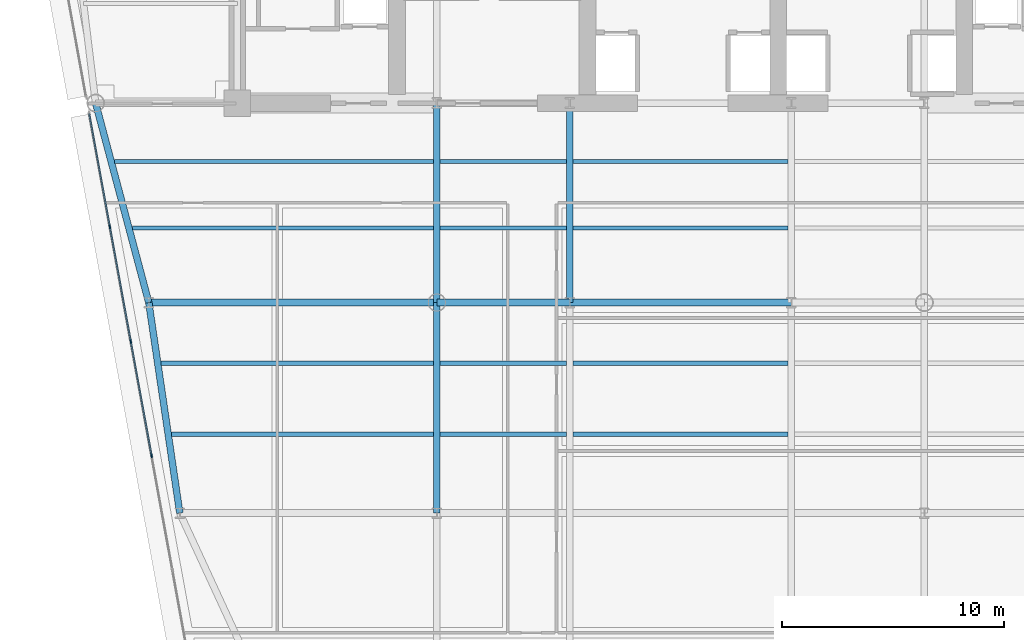
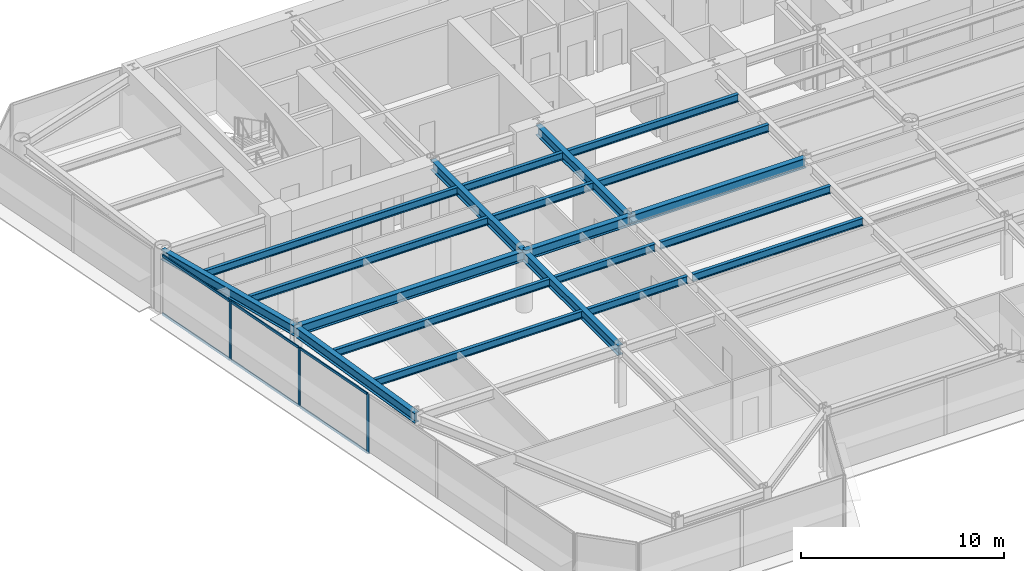
# One storey, part 4 of 17: 20 beams, 9 members, 1 element without a shape of its own.
"""IFC4 building model written with IfcOpenShell, lengths in metres."""

import ifcopenshell
import ifcopenshell.guid

model = None  # the IFC model being written
_history = None  # IfcOwnerHistory: only IFC2X3 demands one
_inside = {}  # id of a spatial element -> (the spatial element, [elements in it])
_under = {}  # id of a project, library or spatial element -> (it, [spatial elements below it])
_declared = {}  # id of a project -> (the project, [libraries it declares])
_typed = {}  # id of a type object -> (the type object, [elements of that type])
_made_of = {}  # id of a material, layer set ... -> (it, [elements and type objects made of it])


def new_model(schema):
    """Start an empty IFC model of exactly this schema.

    Asked for "IFC4X3", IfcOpenShell would pick the latest addendum, in which some entities
    have other attributes; the version numbers below select the first issue.
    IFC2X3 requires an IfcOwnerHistory on every rooted entity: one is made here for all.
    """
    global model, _history
    if schema == "IFC4X3":
        model = ifcopenshell.file(schema_version=(4, 3, 0, 0))
    else:
        model = ifcopenshell.file(schema=schema)
    _inside.clear()
    _under.clear()
    _declared.clear()
    _typed.clear()
    _made_of.clear()
    _history = None
    if model.schema == "IFC2X3":
        org = make("IfcOrganization", Name="unknown")
        user = make(
            "IfcPersonAndOrganization",
            ThePerson=make("IfcPerson", FamilyName="unknown"),
            TheOrganization=org,
        )
        app = make(
            "IfcApplication",
            ApplicationDeveloper=org,
            Version="unknown",
            ApplicationFullName="unknown",
            ApplicationIdentifier="unknown",
        )
        _history = make(
            "IfcOwnerHistory",
            OwningUser=user,
            OwningApplication=app,
            ChangeAction="ADDED",
            CreationDate=0,
        )
    return model


def make(cls, **values):
    """One entity of the class cls with the attributes given. An attribute that is None is left unset."""
    return model.create_entity(
        cls, **{name: value for name, value in values.items() if value is not None}
    )


def rooted(cls, **values):
    """An entity with a GlobalId (a new one), such as an element, a storey or a relation."""
    return make(cls, GlobalId=ifcopenshell.guid.new(), OwnerHistory=_history, **values)


def si_unit(unit_type, name, prefix=None):
    """IfcSIUnit, for example si_unit("LENGTHUNIT", "METRE", prefix="MILLI")."""
    return make("IfcSIUnit", UnitType=unit_type, Prefix=prefix, Name=name)


def assignment(units):
    """IfcUnitAssignment: the units of a project."""
    return None if units is None else make("IfcUnitAssignment", Units=units)


def point(xyz):
    """IfcCartesianPoint."""
    return None if xyz is None else make("IfcCartesianPoint", Coordinates=xyz)


def direction(xyz):
    """IfcDirection."""
    return None if xyz is None else make("IfcDirection", DirectionRatios=xyz)


def frame(location, z_axis=None, x_axis=None):
    """IfcAxis2Placement3D, a coordinate frame: its origin and axes. An axis left out is left unset."""
    return make(
        "IfcAxis2Placement3D",
        Location=point(location),
        Axis=direction(z_axis),
        RefDirection=direction(x_axis),
    )


def frame_2d(location, x_axis=None):
    """IfcAxis2Placement2D, a coordinate frame in the plane: its origin and x axis."""
    return make(
        "IfcAxis2Placement2D", Location=point(location), RefDirection=direction(x_axis)
    )


def origin():
    """The frame at (0, 0, 0) with its axes left unset."""
    return frame((0.0, 0.0, 0.0))


def origin_2d():
    """The frame at (0, 0) in the plane with its x axis left unset."""
    return frame_2d((0.0, 0.0))


def place(relative_to, where):
    """IfcLocalPlacement: puts the frame where relative to a parent placement (None: the world)."""
    return make(
        "IfcLocalPlacement", PlacementRelTo=relative_to, RelativePlacement=where
    )


def context(
    kind, dimensions, precision=None, world=None, true_north=None, identifier=None
):
    """IfcGeometricRepresentationContext, for example the 3D "Model" context."""
    return make(
        "IfcGeometricRepresentationContext",
        ContextIdentifier=identifier,
        ContextType=kind,
        CoordinateSpaceDimension=dimensions,
        Precision=precision,
        WorldCoordinateSystem=world,
        TrueNorth=true_north,
    )


def subcontext(parent, identifier, kind, view, scale=None):
    """IfcGeometricRepresentationSubContext, for example "Body" below "Model"."""
    return make(
        "IfcGeometricRepresentationSubContext",
        ContextIdentifier=identifier,
        ContextType=kind,
        ParentContext=parent,
        TargetScale=scale,
        TargetView=view,
    )


def project(units=None, contexts=None):
    """IfcProject with its units and contexts."""
    return rooted(
        "IfcProject",
        Name="project",
        RepresentationContexts=contexts,
        UnitsInContext=assignment(units),
    )


def spatial(cls, under=None, at=None, **own):
    """A site, building, storey or space (cls), placed at a placement, below another one or the project."""
    s = rooted(cls, ObjectPlacement=at, **own)
    if under is not None:
        _under.setdefault(under.id(), (under, []))[1].append(s)
    return s


def profile(cls, at=None, kind="AREA", **sizes):
    """A parametric profile (cls). Its sizes go by their IFC names, for example OverallWidth=200.0."""
    return make(cls, ProfileType=kind, Position=at, **sizes)


def rectangle(**sizes):
    """IfcRectangleProfileDef."""
    return profile("IfcRectangleProfileDef", **sizes)


def i_section(**sizes):
    """IfcIShapeProfileDef."""
    return profile("IfcIShapeProfileDef", **sizes)


def extrude(swept, where, along, depth):
    """IfcExtrudedAreaSolid: the profile swept, set in the frame where, extruded along a direction by depth."""
    return make(
        "IfcExtrudedAreaSolid",
        SweptArea=swept,
        Position=where,
        ExtrudedDirection=direction(along),
        Depth=depth,
    )


def shape(context_of_items, identifier, shape_type, items):
    """IfcShapeRepresentation: the items that make up one representation, for example the "Body"."""
    return make(
        "IfcShapeRepresentation",
        ContextOfItems=context_of_items,
        RepresentationIdentifier=identifier,
        RepresentationType=shape_type,
        Items=items,
    )


def source(mapping_origin, context_of_items, identifier, shape_type, items):
    """IfcRepresentationMap: a shape defined once, which mapped items show again and again."""
    return make(
        "IfcRepresentationMap",
        MappingOrigin=mapping_origin,
        MappedRepresentation=shape(context_of_items, identifier, shape_type, items),
    )


def transform(
    local_origin,
    x_axis=None,
    y_axis=None,
    z_axis=None,
    scale=None,
    scale2=None,
    scale3=None,
    uniform=True,
):
    """IfcCartesianTransformationOperator3D, or its non-uniform kind. x_axis, y_axis, z_axis: its Axis1, 2, 3."""
    if uniform:
        return make(
            "IfcCartesianTransformationOperator3D",
            Axis1=direction(x_axis),
            Axis2=direction(y_axis),
            LocalOrigin=point(local_origin),
            Scale=scale,
            Axis3=direction(z_axis),
        )
    return make(
        "IfcCartesianTransformationOperator3DnonUniform",
        Axis1=direction(x_axis),
        Axis2=direction(y_axis),
        LocalOrigin=point(local_origin),
        Scale=scale,
        Axis3=direction(z_axis),
        Scale2=scale2,
        Scale3=scale3,
    )


def mapped(mapping_source, mapping_target):
    """IfcMappedItem: shows the shape of a source again, moved by a transform."""
    return make(
        "IfcMappedItem", MappingSource=mapping_source, MappingTarget=mapping_target
    )


def material(Name=None, Category=None):
    """IfcMaterial."""
    return make("IfcMaterial", Name=Name, Category=Category)


def layer(
    of_material, thickness, ventilated=None, Name=None, Category=None, Priority=None
):
    """IfcMaterialLayer: one layer of a wall or slab, of a material (None: an air gap)."""
    return make(
        "IfcMaterialLayer",
        Material=of_material,
        LayerThickness=thickness,
        IsVentilated=ventilated,
        Name=Name,
        Category=Category,
        Priority=Priority,
    )


def layer_set(layers, Name=None):
    """IfcMaterialLayerSet."""
    return make("IfcMaterialLayerSet", MaterialLayers=layers, LayerSetName=Name)


def material_profile(
    of_material, cross_section, Name=None, Category=None, Priority=None
):
    """IfcMaterialProfile: a cross section and its material."""
    return make(
        "IfcMaterialProfile",
        Name=Name,
        Material=of_material,
        Profile=cross_section,
        Priority=Priority,
        Category=Category,
    )


def profile_set(profiles, Name=None, composite=None):
    """IfcMaterialProfileSet."""
    return make(
        "IfcMaterialProfileSet",
        Name=Name,
        MaterialProfiles=profiles,
        CompositeProfile=composite,
    )


def made_of(thing, what):
    """Note that an element or type object is made of a material, layer set ...; save() writes the relation."""
    if what is not None:
        _made_of.setdefault(what.id(), (what, []))[1].append(thing)
    return thing


def type_object(cls, material=None, **own):
    """A type object (cls), such as IfcWallType, which elements share."""
    return made_of(rooted(cls, **own), material)


def element(
    cls,
    number,
    at=None,
    inside=None,
    cuts=None,
    type_object=None,
    material=None,
    context=None,
    identifier="Body",
    shape_type=None,
    held_by="IfcProductDefinitionShape",
    body=None,
    shapes=None,
    **own,
):
    """One element of the class cls, such as IfcWall. Its Tag is "e" and its number.

    at: its placement. inside: the storey or other place that contains it. cuts: it is an
    opening in that element (IfcRelVoidsElement). A single representation is given by context,
    identifier, shape_type and body (its items); several are given by shapes. held_by: the class
    of the entity that holds the representations. save() writes the other relations.
    """
    e = rooted(cls, Tag="e%d" % number, ObjectPlacement=at, **own)
    if body is not None:
        shapes = [shape(context, identifier, shape_type, body)]
    if shapes is not None:
        e.Representation = make(held_by, Representations=shapes)
    if inside is not None:
        _inside.setdefault(inside.id(), (inside, []))[1].append(e)
    if cuts is not None:
        rooted(
            "IfcRelVoidsElement", RelatingBuildingElement=cuts, RelatedOpeningElement=e
        )
    if type_object is not None:
        _typed.setdefault(type_object.id(), (type_object, []))[1].append(e)
    return made_of(e, material)


def aggregate(whole, parts):
    """IfcRelAggregates: a whole, such as a stair, and the parts it consists of."""
    return rooted("IfcRelAggregates", RelatingObject=whole, RelatedObjects=parts)


def save(model, path):
    """Write the relations noted so far, then the file.

    IfcRelAggregates (storeys below a building ...), IfcRelContainedInSpatialStructure (elements
    in a storey), IfcRelDefinesByType, IfcRelAssociatesMaterial and IfcRelDeclares: one each for
    every whole, place, type object, material and project.
    """
    for whole, parts in _under.values():
        aggregate(whole, parts)
    for where, things in _inside.values():
        rooted(
            "IfcRelContainedInSpatialStructure",
            RelatedElements=things,
            RelatingStructure=where,
        )
    for kind, things in _typed.values():
        rooted("IfcRelDefinesByType", RelatedObjects=things, RelatingType=kind)
    for what, things in _made_of.values():
        rooted("IfcRelAssociatesMaterial", RelatedObjects=things, RelatingMaterial=what)
    for by, libraries in _declared.values():
        rooted("IfcRelDeclares", RelatingContext=by, RelatedDefinitions=libraries)
    model.write(path)


model = new_model("IFC4")

# Units and contexts
model_context = context("Model", 3, precision=1e-05, world=origin(), true_north=direction((0.0, 1.0)))
body_context = subcontext(model_context, "Body", "Model", "MODEL_VIEW")
ifc_project = project(units=[si_unit("LENGTHUNIT", "METRE"), si_unit("AREAUNIT", "SQUARE_METRE"), si_unit("VOLUMEUNIT", "CUBIC_METRE"), si_unit("PLANEANGLEUNIT", "RADIAN"), si_unit("MASSUNIT", "GRAM", prefix="KILO")], contexts=[model_context])

# Site, building, storey
site_placement = place(None, origin())
site = spatial("IfcSite", under=ifc_project, at=site_placement, CompositionType="ELEMENT")
building_placement = place(site_placement, origin())
building = spatial("IfcBuilding", under=site, at=building_placement, Name="Vaeldorn Concourse Tower", CompositionType="ELEMENT")
storey_placement = place(building_placement, frame((0.0, 0.0, 161.39990234375)))
storey = spatial("IfcBuildingStorey", under=building, at=storey_placement, Name="L41", CompositionType="ELEMENT", Elevation=161.39990234375)

# Beams
ifc_material_1 = material(Name="Steel S355", Category="steel")
ifc_material_profile_1 = material_profile(ifc_material_1, i_section(OverallWidth=0.18994140625, OverallDepth=0.449951171875, WebThickness=0.009521484375, FlangeThickness=0.0146484375, FilletRadius=0.02099609375, at=origin_2d()), Name="IPE 450")
ifc_profile_set_1 = profile_set([ifc_material_profile_1], Name="Steel S355")
beam_type_1 = type_object("IfcBeamType", Name="BM-JS-IPE450", PredefinedType="JOIST", material=ifc_profile_set_1)
shared_shape_1 = source(origin(), body_context, "Body", "SweptSolid", [
    extrude(i_section(OverallWidth=0.18994140625, OverallDepth=0.449951171875, WebThickness=0.009521484375, FlangeThickness=0.0146484375, FilletRadius=0.02099609375, at=origin_2d()), origin(), (0.0, 0.0, 1.0), 5.7001953125),
])
for number, where, z_axis, x_axis, name in (
    (1, (23.14990234375, 21.56005859375, 3.35498046875), (1.0, 0.0, 0.0), (0.0, 1.0, 0.0), "Beam JS-L41-W2-215"),
    (2, (23.14990234375, 24.760009765625, 3.35498046875), (1.0, 0.0, 0.0), (0.0, 1.0, 0.0), "Beam JS-L41-W2-247"),
    (3, (23.14990234375, 30.860107421875, 3.35498046875), (1.0, 0.0, 0.0), (0.0, 1.0, 0.0), "Beam JS-L41-W2-308"),
    (4, (23.14990234375, 33.860107421875, 3.35498046875), (1.0, 0.0, 0.0), (0.0, 1.0, 0.0), "Beam JS-L41-W2-338"),
):
    element("IfcBeam", number, at=place(storey_placement, frame(where, z_axis=z_axis, x_axis=x_axis)), inside=storey, type_object=beam_type_1, Name=name, PredefinedType="JOIST", context=body_context, shape_type="MappedRepresentation", body=[
        mapped(shared_shape_1, transform((0.0, 0.0, 0.0), scale=1.0)),
    ])
shared_shape_2 = source(origin(), body_context, "Body", "SweptSolid", [
    extrude(i_section(OverallWidth=0.18994140625, OverallDepth=0.449951171875, WebThickness=0.009521484375, FlangeThickness=0.0146484375, FilletRadius=0.02099609375, at=origin_2d()), origin(), (0.0, 0.0, 1.0), 9.7001953125),
])
for number, where, z_axis, x_axis, name in (
    (5, (29.14990234375, 21.56005859375, 3.35498046875), (1.0, 0.0, 0.0), (0.0, 1.0, 0.0), "Beam JS-L41-C-215"),
    (6, (29.14990234375, 24.760009765625, 3.35498046875), (1.0, 0.0, 0.0), (0.0, 1.0, 0.0), "Beam JS-L41-C-247"),
    (7, (29.14990234375, 30.860107421875, 3.35498046875), (1.0, 0.0, 0.0), (0.0, 1.0, 0.0), "Beam JS-L41-C-308"),
    (8, (29.14990234375, 33.860107421875, 3.35498046875), (1.0, 0.0, 0.0), (0.0, 1.0, 0.0), "Beam JS-L41-C-338"),
):
    element("IfcBeam", number, at=place(storey_placement, frame(where, z_axis=z_axis, x_axis=x_axis)), inside=storey, type_object=beam_type_1, Name=name, PredefinedType="JOIST", context=body_context, shape_type="MappedRepresentation", body=[
        mapped(shared_shape_2, transform((0.0, 0.0, 0.0), scale=1.0)),
    ])
shared_shape_3 = source(origin(), body_context, "Body", "SweptSolid", [
    extrude(i_section(OverallWidth=0.18994140625, OverallDepth=0.449951171875, WebThickness=0.009521484375, FlangeThickness=0.0146484375, FilletRadius=0.02099609375, at=origin_2d()), origin(), (0.0, 0.0, 1.0), 11.82470703125),
])
beam_1_placement = place(storey_placement, frame((11.025390625, 21.56005859375, 3.35498046875), z_axis=(1.0, 0.0, 0.0), x_axis=(0.0, 1.0, 0.0)))
element("IfcBeam", 9, at=beam_1_placement, inside=storey, type_object=beam_type_1, Name="Beam JS-L41-W1-215", PredefinedType="JOIST", context=body_context, shape_type="MappedRepresentation", body=[
    mapped(shared_shape_3, transform((0.0, 0.0, 0.0), scale=1.0)),
])
shared_shape_4 = source(origin(), body_context, "Body", "SweptSolid", [
    extrude(i_section(OverallWidth=0.18994140625, OverallDepth=0.449951171875, WebThickness=0.009521484375, FlangeThickness=0.0146484375, FilletRadius=0.02099609375, at=origin_2d()), origin(), (0.0, 0.0, 1.0), 12.29638671875),
])
beam_2_placement = place(storey_placement, frame((10.5537109375, 24.760009765625, 3.35498046875), z_axis=(1.0, 0.0, 0.0), x_axis=(0.0, 1.0, 0.0)))
element("IfcBeam", 10, at=beam_2_placement, inside=storey, type_object=beam_type_1, Name="Beam JS-L41-W1-247", PredefinedType="JOIST", context=body_context, shape_type="MappedRepresentation", body=[
    mapped(shared_shape_4, transform((0.0, 0.0, 0.0), scale=1.0)),
])
shared_shape_5 = source(origin(), body_context, "Body", "SweptSolid", [
    extrude(i_section(OverallWidth=0.18994140625, OverallDepth=0.449951171875, WebThickness=0.009521484375, FlangeThickness=0.0146484375, FilletRadius=0.02099609375, at=origin_2d()), origin(), (0.0, 0.0, 1.0), 13.59619140625),
])
beam_3_placement = place(storey_placement, frame((9.25390625, 30.860107421875, 3.35498046875), z_axis=(1.0, 0.0, 0.0), x_axis=(0.0, 1.0, 0.0)))
element("IfcBeam", 11, at=beam_3_placement, inside=storey, type_object=beam_type_1, Name="Beam JS-L41-W1-308", PredefinedType="JOIST", context=body_context, shape_type="MappedRepresentation", body=[
    mapped(shared_shape_5, transform((0.0, 0.0, 0.0), scale=1.0)),
])
shared_shape_6 = source(origin(), body_context, "Body", "SweptSolid", [
    extrude(i_section(OverallWidth=0.18994140625, OverallDepth=0.449951171875, WebThickness=0.009521484375, FlangeThickness=0.0146484375, FilletRadius=0.02099609375, at=origin_2d()), origin(), (0.0, 0.0, 1.0), 14.39599609375),
])
beam_4_placement = place(storey_placement, frame((8.4541015625, 33.860107421875, 3.35498046875), z_axis=(1.0, 0.0, 0.0), x_axis=(0.0, 1.0, 0.0)))
element("IfcBeam", 12, at=beam_4_placement, inside=storey, type_object=beam_type_1, Name="Beam JS-L41-W1-338", PredefinedType="JOIST", context=body_context, shape_type="MappedRepresentation", body=[
    mapped(shared_shape_6, transform((0.0, 0.0, 0.0), scale=1.0)),
])
ifc_material_profile_2 = material_profile(ifc_material_1, i_section(OverallWidth=0.300048828125, OverallDepth=0.60009765625, WebThickness=0.015380859375, FlangeThickness=0.030029296875, FilletRadius=0.027099609375, at=origin_2d()), Name="HEB 600")
ifc_profile_set_2 = profile_set([ifc_material_profile_2], Name="Steel S355")
beam_type_2 = type_object("IfcBeamType", Name="BM-PG-HEB600", PredefinedType="BEAM", material=ifc_profile_set_2)
shared_shape_7 = source(origin(), body_context, "Body", "SweptSolid", [
    extrude(i_section(OverallWidth=0.300048828125, OverallDepth=0.60009765625, WebThickness=0.015380859375, FlangeThickness=0.030029296875, FilletRadius=0.027099609375, at=origin_2d()), origin(), (0.0, 0.0, 1.0), 6.0),
])
beam_5_placement = place(storey_placement, frame((23.0, 27.5, 3.280029296875), z_axis=(1.0, 0.0, 0.0), x_axis=(0.0, 1.0, 0.0)))
element("IfcBeam", 13, at=beam_5_placement, inside=storey, type_object=beam_type_2, Name="Beam BM-L41-C-TW1-C-TW2", PredefinedType="BEAM", context=body_context, shape_type="MappedRepresentation", body=[
    mapped(shared_shape_7, transform((0.0, 0.0, 0.0), scale=1.0)),
])
shared_shape_8 = source(origin(), body_context, "Body", "SweptSolid", [
    extrude(i_section(OverallWidth=0.300048828125, OverallDepth=0.60009765625, WebThickness=0.015380859375, FlangeThickness=0.030029296875, FilletRadius=0.027099609375, at=origin_2d()), origin(), (0.0, 0.0, 1.0), 10.0),
])
beam_6_placement = place(storey_placement, frame((29.0, 27.5, 3.280029296875), z_axis=(1.0, 0.0, 0.0), x_axis=(0.0, 1.0, 0.0)))
element("IfcBeam", 14, at=beam_6_placement, inside=storey, type_object=beam_type_2, Name="Beam BM-L41-C-TW2-C-TW3", PredefinedType="BEAM", context=body_context, shape_type="MappedRepresentation", body=[
    mapped(shared_shape_8, transform((0.0, 0.0, 0.0), scale=1.0)),
])
shared_shape_9 = source(origin(), body_context, "Body", "SweptSolid", [
    extrude(i_section(OverallWidth=0.300048828125, OverallDepth=0.60009765625, WebThickness=0.015380859375, FlangeThickness=0.030029296875, FilletRadius=0.027099609375, at=origin_2d()), origin(), (0.0, 0.0, 1.0), 9.0),
])
for number, where, z_axis, x_axis, name in (
    (15, (23.0, 27.5, 3.280029296875), (0.0, 1.0, 0.0), (-1.0, 0.0, 0.0), "Beam BM-L41-C-TW1-C-FC2"),
    (16, (29.0, 27.5, 3.280029296875), (0.0, 1.0, 0.0), (-1.0, 0.0, 0.0), "Beam BM-L41-C-TW2-C-FC3"),
):
    element("IfcBeam", number, at=place(storey_placement, frame(where, z_axis=z_axis, x_axis=x_axis)), inside=storey, type_object=beam_type_2, Name=name, PredefinedType="BEAM", context=body_context, shape_type="MappedRepresentation", body=[
        mapped(shared_shape_9, transform((0.0, 0.0, 0.0), scale=1.0)),
    ])
shared_shape_10 = source(origin(), body_context, "Body", "SweptSolid", [
    extrude(i_section(OverallWidth=0.300048828125, OverallDepth=0.60009765625, WebThickness=0.015380859375, FlangeThickness=0.030029296875, FilletRadius=0.027099609375, at=origin_2d()), origin(), (0.0, 0.0, 1.0), 9.314453125),
])
beam_7_placement = place(storey_placement, frame((7.60009765625, 36.5, 3.280029296875), z_axis=(0.257652862255, -0.966237549763, 0.0), x_axis=(0.966237549763, 0.257652862255, 0.0)))
element("IfcBeam", 17, at=beam_7_placement, inside=storey, type_object=beam_type_2, Name="Beam BM-L41-C-NW2-C-FLW1", PredefinedType="BEAM", context=body_context, shape_type="MappedRepresentation", body=[
    mapped(shared_shape_10, transform((0.0, 0.0, 0.0), scale=1.0)),
])
shared_shape_11 = source(origin(), body_context, "Body", "SweptSolid", [
    extrude(i_section(OverallWidth=0.300048828125, OverallDepth=0.60009765625, WebThickness=0.015380859375, FlangeThickness=0.030029296875, FilletRadius=0.027099609375, at=origin_2d()), origin(), (0.0, 0.0, 1.0), 13.0),
])
beam_8_placement = place(storey_placement, frame((10.0, 27.5, 3.280029296875), z_axis=(1.0, 0.0, 0.0), x_axis=(0.0, 1.0, 0.0)))
element("IfcBeam", 18, at=beam_8_placement, inside=storey, type_object=beam_type_2, Name="Beam BM-L41-C-FLW1-C-TW1", PredefinedType="BEAM", context=body_context, shape_type="MappedRepresentation", body=[
    mapped(shared_shape_11, transform((0.0, 0.0, 0.0), scale=1.0)),
])
shared_shape_12 = source(origin(), body_context, "Body", "SweptSolid", [
    extrude(i_section(OverallWidth=0.300048828125, OverallDepth=0.60009765625, WebThickness=0.015380859375, FlangeThickness=0.030029296875, FilletRadius=0.027099609375, at=origin_2d()), origin(), (0.0, 0.0, 1.0), 9.6025390625),
])
beam_9_placement = place(storey_placement, frame((10.0, 27.5, 3.280029296875), z_axis=(0.145783835977, -0.989316467652, 0.0), x_axis=(0.989316467652, 0.145783835977, 0.0)))
element("IfcBeam", 19, at=beam_9_placement, inside=storey, type_object=beam_type_2, Name="Beam BM-L41-C-FLW1-C-FLW2", PredefinedType="BEAM", context=body_context, shape_type="MappedRepresentation", body=[
    mapped(shared_shape_12, transform((0.0, 0.0, 0.0), scale=1.0)),
])
shared_shape_13 = source(origin(), body_context, "Body", "SweptSolid", [
    extrude(i_section(OverallWidth=0.300048828125, OverallDepth=0.60009765625, WebThickness=0.015380859375, FlangeThickness=0.030029296875, FilletRadius=0.027099609375, at=origin_2d()), origin(), (0.0, 0.0, 1.0), 9.5),
])
beam_10_placement = place(storey_placement, frame((23.0, 18.0, 3.280029296875), z_axis=(0.0, 1.0, 0.0), x_axis=(-1.0, 0.0, 0.0)))
element("IfcBeam", 20, at=beam_10_placement, inside=storey, type_object=beam_type_2, Name="Beam BM-L41-C-TW5-C-TW1", PredefinedType="BEAM", context=body_context, shape_type="MappedRepresentation", body=[
    mapped(shared_shape_13, transform((0.0, 0.0, 0.0), scale=1.0)),
])

# Curtain wall, members
ifc_material_2 = material(Name="Anodised Bronze Aluminium", Category="aluminium")
ifc_layer = layer(ifc_material_2, 0.18994140625)
ifc_layer_set = layer_set([ifc_layer], Name="Anodised Bronze Aluminium")
curtain_wall_type = type_object("IfcCurtainWallType", Name="CW-SYS-03", PredefinedType="NOTDEFINED", material=ifc_layer_set)
curtain_wall_placement = place(storey_placement, origin())
curtain_wall = element("IfcCurtainWall", 21, at=curtain_wall_placement, inside=storey, type_object=curtain_wall_type, Name="Unitised Curtain Wall CW-L41-E11-2", PredefinedType="NOTDEFINED")
ifc_material_profile_3 = material_profile(ifc_material_2, rectangle(XDim=0.06494140625, YDim=0.14990234375, at=origin_2d()), Name="CWT 65x150")
ifc_profile_set_3 = profile_set([ifc_material_profile_3], Name="Anodised Bronze Aluminium")
member_type_1 = type_object("IfcMemberType", Name="CWT-BRONZE-150", PredefinedType="USERDEFINED", material=ifc_profile_set_3)
shared_shape_14 = source(origin(), body_context, "Body", "SweptSolid", [
    extrude(rectangle(XDim=0.06494140625, YDim=0.14990234375, at=origin_2d()), origin(), (0.0, 0.0, 1.0), 5.151611328125),
])
member_1_placement = place(storey_placement, frame((7.31298828125, 36.01953125, 0.03271484375), z_axis=(0.179473445995, -0.983762818053, 0.0), x_axis=(0.983762818053, 0.179473445995, 0.0)))
member_1 = element("IfcMember", 22, at=member_1_placement, type_object=member_type_1, Name="CW-03 transom 1.1", ObjectType="TRANSOM", PredefinedType="USERDEFINED", context=body_context, shape_type="MappedRepresentation", body=[
    mapped(shared_shape_14, transform((0.0, 0.0, 0.0), scale=1.0)),
])
member_2_placement = place(storey_placement, frame((7.31298828125, 36.01953125, 3.547607421875), z_axis=(0.179473445995, -0.983762818053, 0.0), x_axis=(0.983762818053, 0.179473445995, 0.0)))
member_2 = element("IfcMember", 23, at=member_2_placement, type_object=member_type_1, Name="CW-03 transom 1.2", ObjectType="TRANSOM", PredefinedType="USERDEFINED", context=body_context, shape_type="MappedRepresentation", body=[
    mapped(shared_shape_14, transform((0.0, 0.0, 0.0), scale=1.0)),
])
shared_shape_15 = source(origin(), body_context, "Body", "SweptSolid", [
    extrude(rectangle(XDim=0.06494140625, YDim=0.14990234375, at=origin_2d()), origin(), (0.0, 0.0, 1.0), 5.18408203125),
])
member_3_placement = place(storey_placement, frame((9.191162109375, 25.7236328125, 0.03271484375), z_axis=(0.179432467646, -0.983770293084, 0.0), x_axis=(0.983770293084, 0.179432467646, 0.0)))
member_3 = element("IfcMember", 24, at=member_3_placement, type_object=member_type_1, Name="CW-03 transom 3.1", ObjectType="TRANSOM", PredefinedType="USERDEFINED", context=body_context, shape_type="MappedRepresentation", body=[
    mapped(shared_shape_15, transform((0.0, 0.0, 0.0), scale=1.0)),
])
member_4_placement = place(storey_placement, frame((9.191162109375, 25.7236328125, 3.547607421875), z_axis=(0.179432467646, -0.983770293084, 0.0), x_axis=(0.983770293084, 0.179432467646, 0.0)))
member_4 = element("IfcMember", 25, at=member_4_placement, type_object=member_type_1, Name="CW-03 transom 3.2", ObjectType="TRANSOM", PredefinedType="USERDEFINED", context=body_context, shape_type="MappedRepresentation", body=[
    mapped(shared_shape_15, transform((0.0, 0.0, 0.0), scale=1.0)),
])
shared_shape_16 = source(origin(), body_context, "Body", "SweptSolid", [
    extrude(rectangle(XDim=0.06494140625, YDim=0.14990234375, at=origin_2d()), origin(), (0.0, 0.0, 1.0), 5.184326171875),
])
member_5_placement = place(storey_placement, frame((8.249267578125, 30.8876953125, 0.03271484375), z_axis=(0.179424154775, -0.983771809254, 0.0), x_axis=(0.983771809254, 0.179424154775, 0.0)))
member_5 = element("IfcMember", 26, at=member_5_placement, type_object=member_type_1, Name="CW-03 transom 2.1", ObjectType="TRANSOM", PredefinedType="USERDEFINED", context=body_context, shape_type="MappedRepresentation", body=[
    mapped(shared_shape_16, transform((0.0, 0.0, 0.0), scale=1.0)),
])
member_6_placement = place(storey_placement, frame((8.249267578125, 30.8876953125, 3.547607421875), z_axis=(0.179424154775, -0.983771809254, 0.0), x_axis=(0.983771809254, 0.179424154775, 0.0)))
member_6 = element("IfcMember", 27, at=member_6_placement, type_object=member_type_1, Name="CW-03 transom 2.2", ObjectType="TRANSOM", PredefinedType="USERDEFINED", context=body_context, shape_type="MappedRepresentation", body=[
    mapped(shared_shape_16, transform((0.0, 0.0, 0.0), scale=1.0)),
])
ifc_material_profile_4 = material_profile(ifc_material_2, rectangle(XDim=0.06494140625, YDim=0.169921875, at=origin_2d()), Name="CWM 65x170")
ifc_profile_set_4 = profile_set([ifc_material_profile_4], Name="Anodised Bronze Aluminium")
member_type_2 = type_object("IfcMemberType", Name="CWM-BRONZE-170", PredefinedType="MULLION", material=ifc_profile_set_4)
shared_shape_17 = source(origin(), body_context, "Body", "SweptSolid", [
    extrude(rectangle(XDim=0.06494140625, YDim=0.169921875, at=origin_2d()), origin(), (0.0, 0.0, 1.0), 3.580078125),
])
member_7_placement = place(storey_placement, frame((8.243408203125, 30.919677734375, 0.0), z_axis=(0.0, 0.0, 1.0), x_axis=(0.983767841325, 0.179445909331, 0.0)))
member_7 = element("IfcMember", 28, at=member_7_placement, type_object=member_type_2, Name="CW-03 mullion 2", PredefinedType="MULLION", context=body_context, shape_type="MappedRepresentation", body=[
    mapped(shared_shape_17, transform((0.0, 0.0, 0.0), scale=1.0)),
])
member_8_placement = place(storey_placement, frame((9.185302734375, 25.755615234375, 0.0), z_axis=(0.0, 0.0, 1.0), x_axis=(0.983767841325, 0.179445909331, 0.0)))
member_8 = element("IfcMember", 29, at=member_8_placement, type_object=member_type_2, Name="CW-03 mullion 3", PredefinedType="MULLION", context=body_context, shape_type="MappedRepresentation", body=[
    mapped(shared_shape_17, transform((0.0, 0.0, 0.0), scale=1.0)),
])
member_9_placement = place(storey_placement, frame((10.127197265625, 20.591796875, 0.0), z_axis=(0.0, 0.0, 1.0), x_axis=(0.983767841325, 0.179445909331, 0.0)))
member_9 = element("IfcMember", 30, at=member_9_placement, type_object=member_type_2, Name="CW-03 mullion 4", PredefinedType="MULLION", context=body_context, shape_type="MappedRepresentation", body=[
    mapped(shared_shape_17, transform((0.0, 0.0, 0.0), scale=1.0)),
])
aggregate(curtain_wall, [member_7, member_8, member_9, member_1, member_2, member_5, member_6, member_3, member_4])

save(model, "model.ifc")
